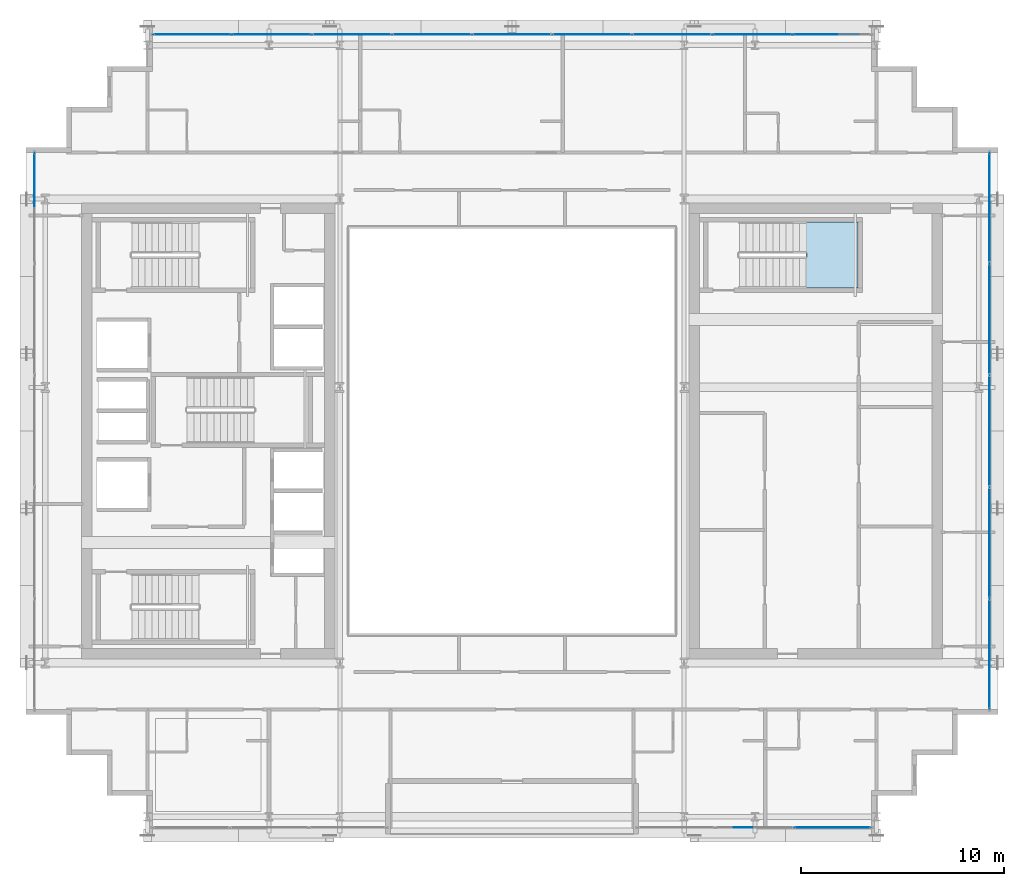
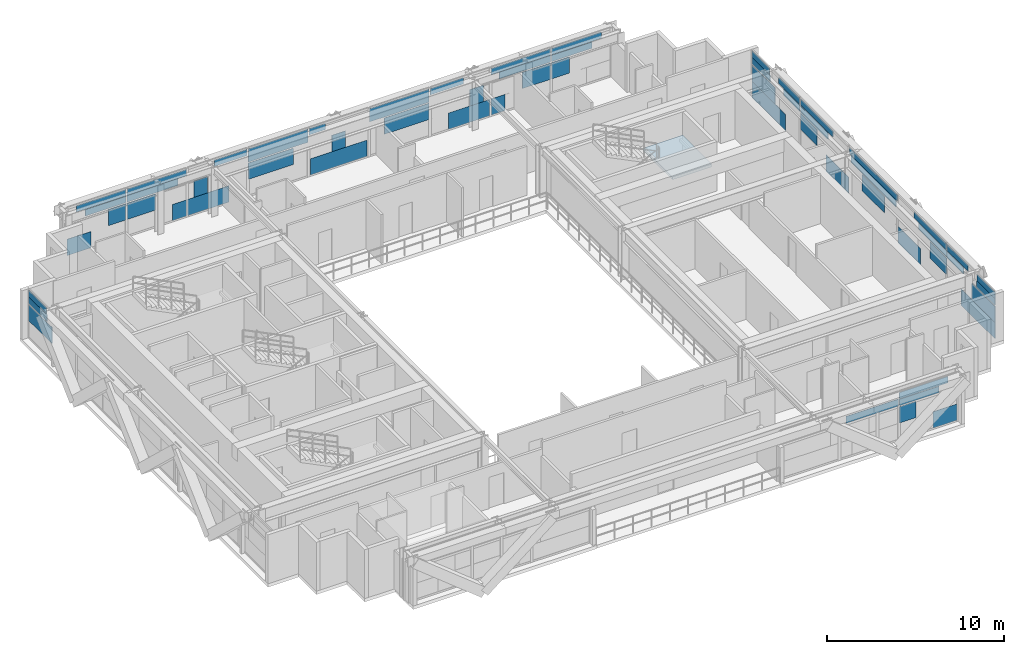
# One storey, part 21 of 32: 59 plates, 1 slab, 5 elements without a shape of their own.
"""IFC4 building model written with IfcOpenShell, lengths in metres."""

from ifc_helpers import new_model, si_unit, direction, frame, origin, origin_2d, place, context, subcontext, project, spatial, polyline, rectangle, outline, extrude, source, transform, mapped, material, layer, layer_set, type_object, element, aggregate, save


model = new_model("IFC4")

# Units and contexts
model_context = context("Model", 3, precision=1e-05, world=origin(), true_north=direction((0.0, 1.0)))
body_context = subcontext(model_context, "Body", "Model", "MODEL_VIEW")
ifc_project = project(units=[si_unit("LENGTHUNIT", "METRE"), si_unit("AREAUNIT", "SQUARE_METRE"), si_unit("VOLUMEUNIT", "CUBIC_METRE"), si_unit("PLANEANGLEUNIT", "RADIAN"), si_unit("MASSUNIT", "GRAM", prefix="KILO")], contexts=[model_context])

# Site, building, storey
site_placement = place(None, origin())
site = spatial("IfcSite", under=ifc_project, at=site_placement, CompositionType="ELEMENT")
building_placement = place(site_placement, origin())
building = spatial("IfcBuilding", under=site, at=building_placement, Name="Ocotamira Hotel", CompositionType="ELEMENT")
storey_placement = place(building_placement, frame((0.0, 0.0, 213.60009765625)))
storey = spatial("IfcBuildingStorey", under=building, at=storey_placement, Name="L54", CompositionType="ELEMENT", Elevation=213.60009765625)

# Stair, slab
ifc_material_1 = material(Name="Concrete C40/50", Category="concrete")
stair_type = type_object("IfcStairType", Name="ST-CORE-1560", PredefinedType="HALF_TURN_STAIR", material=ifc_material_1)
stair_placement = place(storey_placement, origin())
stair = element("IfcStair", 1, at=stair_placement, inside=storey, type_object=stair_type, Name="L54 Exit Stair ST-4", PredefinedType="HALF_TURN_STAIR")
ifc_layer_1 = layer(ifc_material_1, 0.199951171875)
ifc_layer_set_1 = layer_set([ifc_layer_1], Name="Concrete C40/50")
slab_type = type_object("IfcSlabType", Name="SLB-LAND-200", PredefinedType="LANDING", material=ifc_layer_set_1)
slab_placement = place(storey_placement, frame((0.0, 0.0, 1.599853515625)))
slab = element("IfcSlab", 2, at=slab_placement, type_object=slab_type, Name="ST-4 landing 1", PredefinedType="LANDING", context=body_context, shape_type="SweptSolid", body=[
    extrude(outline(polyline([(46.530029296875, 33.050048828125), (49.090087890625, 33.050048828125), (49.090087890625, 36.330078125), (46.530029296875, 36.330078125), (46.530029296875, 33.050048828125)])), origin(), (0.0, 0.0, 1.0), 0.199951171875),
])
aggregate(stair, [slab])

# Curtain wall, plates
ifc_material_2 = material(Name="Anodised pale-metal aluminium and solar glass", Category="aluminium")
ifc_layer_2 = layer(ifc_material_2, 0.199951171875)
ifc_layer_set_2 = layer_set([ifc_layer_2], Name="Anodised pale-metal aluminium and solar glass")
curtain_wall_type = type_object("IfcCurtainWallType", Name="CW-SYS4-Z3", PredefinedType="NOTDEFINED", material=ifc_layer_set_2)
curtain_wall_1_placement = place(storey_placement, origin())
curtain_wall_1 = element("IfcCurtainWall", 3, at=curtain_wall_1_placement, inside=storey, type_object=curtain_wall_type, Name="L54 Curtain Wall CW-4 CW-L54-N", PredefinedType="NOTDEFINED")
ifc_material_3 = material(Name="Double-silver low-E insulated solar glass", Category="glass")
ifc_layer_3 = layer(ifc_material_3, 0.031982421875)
ifc_layer_set_3 = layer_set([ifc_layer_3], Name="Double-silver low-E insulated solar glass")
plate_type = type_object("IfcPlateType", Name="CWP-VISION-32", PredefinedType="CURTAIN_PANEL", material=ifc_layer_set_3)
shared_shape_1 = source(origin(), body_context, "Body", "SweptSolid", [
    extrude(rectangle(XDim=3.233154296875, YDim=0.031982421875, at=origin_2d()), origin(), (0.0, 0.0, 1.0), 0.4326171875),
])
plate_1_placement = place(storey_placement, frame((16.4990234375, 45.580078125, 2.8623046875), z_axis=(0.0, 0.0, 1.0), x_axis=(1.0, 0.0, 0.0)))
plate_1 = element("IfcPlate", 4, at=plate_1_placement, type_object=plate_type, Name="CW-4 panel 1.2.1", PredefinedType="CURTAIN_PANEL", context=body_context, shape_type="MappedRepresentation", body=[
    mapped(shared_shape_1, transform((0.0, 0.0, 0.0), scale=1.0)),
])
plate_2_placement = place(storey_placement, frame((47.5009765625, 45.580078125, 2.8623046875), z_axis=(0.0, 0.0, 1.0), x_axis=(1.0, 0.0, 0.0)))
plate_2 = element("IfcPlate", 5, at=plate_2_placement, type_object=plate_type, Name="CW-4 panel 9.2.2", PredefinedType="CURTAIN_PANEL", context=body_context, shape_type="MappedRepresentation", body=[
    mapped(shared_shape_1, transform((0.0, 0.0, 0.0), scale=1.0)),
])
shared_shape_2 = source(origin(), body_context, "Body", "SweptSolid", [
    extrude(rectangle(XDim=3.32861328125, YDim=0.031982421875, at=origin_2d()), origin(), (0.0, 0.0, 1.0), 0.474853515625),
])
plate_3_placement = place(storey_placement, frame((19.85986328125, 45.580078125, 2.38720703125), z_axis=(0.0, 0.0, 1.0), x_axis=(1.0, 0.0, 0.0)))
plate_3 = element("IfcPlate", 6, at=plate_3_placement, type_object=plate_type, Name="CW-4 panel 2.2.1", PredefinedType="CURTAIN_PANEL", context=body_context, shape_type="MappedRepresentation", body=[
    mapped(shared_shape_2, transform((0.0, 0.0, 0.0), scale=1.0)),
])
plate_4_placement = place(storey_placement, frame((44.14013671875, 45.580078125, 2.38720703125), z_axis=(0.0, 0.0, 1.0), x_axis=(1.0, 0.0, 0.0)))
plate_4 = element("IfcPlate", 7, at=plate_4_placement, type_object=plate_type, Name="CW-4 panel 8.2.2", PredefinedType="CURTAIN_PANEL", context=body_context, shape_type="MappedRepresentation", body=[
    mapped(shared_shape_2, transform((0.0, 0.0, 0.0), scale=1.0)),
])
shared_shape_3 = source(origin(), body_context, "Body", "SweptSolid", [
    extrude(rectangle(XDim=3.87548828125, YDim=0.031982421875, at=origin_2d()), origin(), (0.0, 0.0, 1.0), 0.4326171875),
])
plate_5_placement = place(storey_placement, frame((20.13330078125, 45.580078125, 2.8623046875), z_axis=(0.0, 0.0, 1.0), x_axis=(1.0, 0.0, 0.0)))
plate_5 = element("IfcPlate", 8, at=plate_5_placement, type_object=plate_type, Name="CW-4 panel 2.2.2", PredefinedType="CURTAIN_PANEL", context=body_context, shape_type="MappedRepresentation", body=[
    mapped(shared_shape_3, transform((0.0, 0.0, 0.0), scale=1.0)),
])
plate_6_placement = place(storey_placement, frame((43.86669921875, 45.580078125, 2.8623046875), z_axis=(0.0, 0.0, 1.0), x_axis=(1.0, 0.0, 0.0)))
plate_6 = element("IfcPlate", 9, at=plate_6_placement, type_object=plate_type, Name="CW-4 panel 8.2.1", PredefinedType="CURTAIN_PANEL", context=body_context, shape_type="MappedRepresentation", body=[
    mapped(shared_shape_3, transform((0.0, 0.0, 0.0), scale=1.0)),
])
shared_shape_4 = source(origin(), body_context, "Body", "SweptSolid", [
    extrude(rectangle(XDim=2.144287109375, YDim=0.031982421875, at=origin_2d()), origin(), (0.0, 0.0, 1.0), 0.4326171875),
])
plate_7_placement = place(storey_placement, frame((24.95458984375, 45.580078125, 2.8623046875), z_axis=(0.0, 0.0, 1.0), x_axis=(1.0, 0.0, 0.0)))
plate_7 = element("IfcPlate", 10, at=plate_7_placement, type_object=plate_type, Name="CW-4 panel 3.2.1", PredefinedType="CURTAIN_PANEL", context=body_context, shape_type="MappedRepresentation", body=[
    mapped(shared_shape_4, transform((0.0, 0.0, 0.0), scale=1.0)),
])
plate_8_placement = place(storey_placement, frame((39.04541015625, 45.580078125, 2.8623046875), z_axis=(0.0, 0.0, 1.0), x_axis=(1.0, 0.0, 0.0)))
plate_8 = element("IfcPlate", 11, at=plate_8_placement, type_object=plate_type, Name="CW-4 panel 7.2.1", PredefinedType="CURTAIN_PANEL", context=body_context, shape_type="MappedRepresentation", body=[
    mapped(shared_shape_4, transform((0.0, 0.0, 0.0), scale=1.0)),
])
shared_shape_5 = source(origin(), body_context, "Body", "SweptSolid", [
    extrude(rectangle(XDim=3.87548828125, YDim=0.031982421875, at=origin_2d()), origin(), (0.0, 0.0, 1.0), 0.907470703125),
])
plate_9_placement = place(storey_placement, frame((28.04443359375, 45.580078125, 2.38720703125), z_axis=(0.0, 0.0, 1.0), x_axis=(1.0, 0.0, 0.0)))
plate_9 = element("IfcPlate", 12, at=plate_9_placement, type_object=plate_type, Name="CW-4 panel 4.2", PredefinedType="CURTAIN_PANEL", context=body_context, shape_type="MappedRepresentation", body=[
    mapped(shared_shape_5, transform((0.0, 0.0, 0.0), scale=1.0)),
])
plate_10_placement = place(storey_placement, frame((35.95556640625, 45.580078125, 2.38720703125), z_axis=(0.0, 0.0, 1.0), x_axis=(1.0, 0.0, 0.0)))
plate_10 = element("IfcPlate", 13, at=plate_10_placement, type_object=plate_type, Name="CW-4 panel 6.2", PredefinedType="CURTAIN_PANEL", context=body_context, shape_type="MappedRepresentation", body=[
    mapped(shared_shape_5, transform((0.0, 0.0, 0.0), scale=1.0)),
])
shared_shape_6 = source(origin(), body_context, "Body", "SweptSolid", [
    extrude(rectangle(XDim=1.055419921875, YDim=0.031982421875, at=origin_2d()), origin(), (0.0, 0.0, 1.0), 0.4326171875),
])
plate_11_placement = place(storey_placement, frame((30.58984375, 45.580078125, 2.8623046875), z_axis=(0.0, 0.0, 1.0), x_axis=(1.0, 0.0, 0.0)))
plate_11 = element("IfcPlate", 14, at=plate_11_placement, type_object=plate_type, Name="CW-4 panel 5.2.1", PredefinedType="CURTAIN_PANEL", context=body_context, shape_type="MappedRepresentation", body=[
    mapped(shared_shape_6, transform((0.0, 0.0, 0.0), scale=1.0)),
])

curtain_wall_2_placement = place(storey_placement, origin())
curtain_wall_2 = element("IfcCurtainWall", 15, at=curtain_wall_2_placement, inside=storey, type_object=curtain_wall_type, Name="L54 Curtain Wall CW-4 CW-L54-E", PredefinedType="NOTDEFINED")
shared_shape_7 = source(origin(), body_context, "Body", "SweptSolid", [
    extrude(rectangle(XDim=2.3681640625, YDim=0.031982421875, at=origin_2d()), origin(), (0.0, 0.0, 1.0), 0.41259765625),
])
plate_12_placement = place(storey_placement, frame((55.580078125, 16.495849609375, 2.88232421875), z_axis=(0.0, 0.0, 1.0), x_axis=(0.0, 1.0, 0.0)))
plate_12 = element("IfcPlate", 16, at=plate_12_placement, type_object=plate_type, Name="CW-4 panel 1.2.3", PredefinedType="CURTAIN_PANEL", context=body_context, shape_type="MappedRepresentation", body=[
    mapped(shared_shape_7, transform((0.0, 0.0, 0.0), scale=1.0)),
])
plate_13_placement = place(storey_placement, frame((55.580078125, 35.504150390625, 2.88232421875), z_axis=(0.0, 0.0, 1.0), x_axis=(0.0, 1.0, 0.0)))
plate_13 = element("IfcPlate", 17, at=plate_13_placement, type_object=plate_type, Name="CW-4 panel 5.2.2", PredefinedType="CURTAIN_PANEL", context=body_context, shape_type="MappedRepresentation", body=[
    mapped(shared_shape_7, transform((0.0, 0.0, 0.0), scale=1.0)),
])
shared_shape_8 = source(origin(), body_context, "Body", "SweptSolid", [
    extrude(rectangle(XDim=3.66162109375, YDim=0.031982421875, at=origin_2d()), origin(), (0.0, 0.0, 1.0), 0.41259765625),
])
plate_14_placement = place(storey_placement, frame((55.580078125, 19.5908203125, 2.88232421875), z_axis=(0.0, 0.0, 1.0), x_axis=(0.0, 1.0, 0.0)))
plate_14 = element("IfcPlate", 18, at=plate_14_placement, type_object=plate_type, Name="CW-4 panel 2.2.2", PredefinedType="CURTAIN_PANEL", context=body_context, shape_type="MappedRepresentation", body=[
    mapped(shared_shape_8, transform((0.0, 0.0, 0.0), scale=1.0)),
])
plate_15_placement = place(storey_placement, frame((55.580078125, 32.4091796875, 2.88232421875), z_axis=(0.0, 0.0, 1.0), x_axis=(0.0, 1.0, 0.0)))
plate_15 = element("IfcPlate", 19, at=plate_15_placement, type_object=plate_type, Name="CW-4 panel 4.2.1", PredefinedType="CURTAIN_PANEL", context=body_context, shape_type="MappedRepresentation", body=[
    mapped(shared_shape_8, transform((0.0, 0.0, 0.0), scale=1.0)),
])
shared_shape_9 = source(origin(), body_context, "Body", "SweptSolid", [
    extrude(rectangle(XDim=5.43994140625, YDim=0.031982421875, at=origin_2d()), origin(), (0.0, 0.0, 1.0), 0.41259765625),
])
plate_16_placement = place(storey_placement, frame((55.580078125, 26.0, 2.88232421875), z_axis=(0.0, 0.0, 1.0), x_axis=(0.0, 1.0, 0.0)))
plate_16 = element("IfcPlate", 20, at=plate_16_placement, type_object=plate_type, Name="CW-4 panel 3.2.1", PredefinedType="CURTAIN_PANEL", context=body_context, shape_type="MappedRepresentation", body=[
    mapped(shared_shape_9, transform((0.0, 0.0, 0.0), scale=1.0)),
])
shared_shape_10 = source(origin(), body_context, "Body", "SweptSolid", [
    extrude(rectangle(XDim=5.06005859375, YDim=0.031982421875, at=origin_2d()), origin(), (0.0, 0.0, 1.0), 0.4951171875),
])
plate_17_placement = place(storey_placement, frame((55.580078125, 26.0, 2.387451171875), z_axis=(0.0, 0.0, 1.0), x_axis=(0.0, 1.0, 0.0)))
plate_17 = element("IfcPlate", 21, at=plate_17_placement, type_object=plate_type, Name="CW-4 panel 3.2.2", PredefinedType="CURTAIN_PANEL", context=body_context, shape_type="MappedRepresentation", body=[
    mapped(shared_shape_10, transform((0.0, 0.0, 0.0), scale=1.0)),
])

# Plate
shared_shape_11 = source(origin(), body_context, "Body", "SweptSolid", [
    extrude(rectangle(XDim=0.898193359375, YDim=0.031982421875, at=origin_2d()), origin(), (0.0, 0.0, 1.0), 1.118896484375),
])
plate_18_placement = place(storey_placement, frame((23.0, 45.580078125, 1.193359375), z_axis=(0.0, 0.0, 1.0), x_axis=(1.0, 0.0, 0.0)))
plate_18 = element("IfcPlate", 22, at=plate_18_placement, type_object=plate_type, Name="CW-4 panel 3.1.2", PredefinedType="CURTAIN_PANEL", context=body_context, shape_type="MappedRepresentation", body=[
    mapped(shared_shape_11, transform((0.0, 0.0, 0.0), scale=1.0)),
])

plate_19_placement = place(storey_placement, frame((32.0, 45.580078125, 1.193359375), z_axis=(0.0, 0.0, 1.0), x_axis=(1.0, 0.0, 0.0)))
plate_19 = element("IfcPlate", 23, at=plate_19_placement, type_object=plate_type, Name="CW-4 panel 5.1.2", PredefinedType="CURTAIN_PANEL", context=body_context, shape_type="MappedRepresentation", body=[
    mapped(shared_shape_11, transform((0.0, 0.0, 0.0), scale=1.0)),
])

plate_20_placement = place(storey_placement, frame((41.0, 45.580078125, 1.193359375), z_axis=(0.0, 0.0, 1.0), x_axis=(1.0, 0.0, 0.0)))
plate_20 = element("IfcPlate", 24, at=plate_20_placement, type_object=plate_type, Name="CW-4 panel 7.1.2", PredefinedType="CURTAIN_PANEL", context=body_context, shape_type="MappedRepresentation", body=[
    mapped(shared_shape_11, transform((0.0, 0.0, 0.0), scale=1.0)),
])

# Curtain wall, plates
curtain_wall_3_placement = place(storey_placement, origin())
curtain_wall_3 = element("IfcCurtainWall", 25, at=curtain_wall_3_placement, inside=storey, type_object=curtain_wall_type, Name="L54 Curtain Wall CW-4 CW-L54-S2", PredefinedType="NOTDEFINED")
shared_shape_12 = source(origin(), body_context, "Body", "SweptSolid", [
    extrude(rectangle(XDim=1.0751953125, YDim=0.031982421875, at=origin_2d()), origin(), (0.0, 0.0, 1.0), 1.118896484375),
])
plate_21_placement = place(storey_placement, frame((46.494384765625, 6.419921875, 1.193359375), z_axis=(0.0, 0.0, 1.0), x_axis=(1.0, 0.0, 0.0)))
plate_21 = element("IfcPlate", 26, at=plate_21_placement, type_object=plate_type, Name="CW-4 panel 3.1.1", PredefinedType="CURTAIN_PANEL", context=body_context, shape_type="MappedRepresentation", body=[
    mapped(shared_shape_12, transform((0.0, 0.0, 0.0), scale=1.0)),
])
shared_shape_13 = source(origin(), body_context, "Body", "SweptSolid", [
    extrude(rectangle(XDim=3.160888671875, YDim=0.031982421875, at=origin_2d()), origin(), (0.0, 0.0, 1.0), 0.4326171875),
])
plate_22_placement = place(storey_placement, frame((47.537109375, 6.419921875, 2.8623046875), z_axis=(0.0, 0.0, 1.0), x_axis=(1.0, 0.0, 0.0)))
plate_22 = element("IfcPlate", 27, at=plate_22_placement, type_object=plate_type, Name="CW-4 panel 3.2.2", PredefinedType="CURTAIN_PANEL", context=body_context, shape_type="MappedRepresentation", body=[
    mapped(shared_shape_13, transform((0.0, 0.0, 0.0), scale=1.0)),
])
shared_shape_14 = source(origin(), body_context, "Body", "SweptSolid", [
    extrude(rectangle(XDim=3.40087890625, YDim=0.031982421875, at=origin_2d()), origin(), (0.0, 0.0, 1.0), 0.474853515625),
])
plate_23_placement = place(storey_placement, frame((44.17626953125, 6.419921875, 2.38720703125), z_axis=(0.0, 0.0, 1.0), x_axis=(1.0, 0.0, 0.0)))
plate_23 = element("IfcPlate", 28, at=plate_23_placement, type_object=plate_type, Name="CW-4 panel 2.2.2", PredefinedType="CURTAIN_PANEL", context=body_context, shape_type="MappedRepresentation", body=[
    mapped(shared_shape_14, transform((0.0, 0.0, 0.0), scale=1.0)),
])

# Plate
shared_shape_15 = source(origin(), body_context, "Body", "SweptSolid", [
    extrude(rectangle(XDim=1.1474609375, YDim=0.031982421875, at=origin_2d()), origin(), (0.0, 0.0, 1.0), 1.118896484375),
])
plate_24_placement = place(storey_placement, frame((17.541748046875, 45.580078125, 1.193359375), z_axis=(0.0, 0.0, 1.0), x_axis=(1.0, 0.0, 0.0)))
plate_24 = element("IfcPlate", 29, at=plate_24_placement, type_object=plate_type, Name="CW-4 panel 1.1.2", PredefinedType="CURTAIN_PANEL", context=body_context, shape_type="MappedRepresentation", body=[
    mapped(shared_shape_15, transform((0.0, 0.0, 0.0), scale=1.0)),
])

plate_25_placement = place(storey_placement, frame((46.458251953125, 45.580078125, 1.193359375), z_axis=(0.0, 0.0, 1.0), x_axis=(1.0, 0.0, 0.0)))
plate_25 = element("IfcPlate", 30, at=plate_25_placement, type_object=plate_type, Name="CW-4 panel 9.1.1", PredefinedType="CURTAIN_PANEL", context=body_context, shape_type="MappedRepresentation", body=[
    mapped(shared_shape_15, transform((0.0, 0.0, 0.0), scale=1.0)),
])

shared_shape_16 = source(origin(), body_context, "Body", "SweptSolid", [
    extrude(rectangle(XDim=1.83642578125, YDim=0.031982421875, at=origin_2d()), origin(), (0.0, 0.0, 1.0), 1.118896484375),
])
plate_26_placement = place(storey_placement, frame((19.11376953125, 45.580078125, 1.193359375), z_axis=(0.0, 0.0, 1.0), x_axis=(1.0, 0.0, 0.0)))
plate_26 = element("IfcPlate", 31, at=plate_26_placement, type_object=plate_type, Name="CW-4 panel 2.1.1", PredefinedType="CURTAIN_PANEL", context=body_context, shape_type="MappedRepresentation", body=[
    mapped(shared_shape_16, transform((0.0, 0.0, 0.0), scale=1.0)),
])

plate_27_placement = place(storey_placement, frame((44.88623046875, 45.580078125, 1.193359375), z_axis=(0.0, 0.0, 1.0), x_axis=(1.0, 0.0, 0.0)))
plate_27 = element("IfcPlate", 32, at=plate_27_placement, type_object=plate_type, Name="CW-4 panel 8.1.2", PredefinedType="CURTAIN_PANEL", context=body_context, shape_type="MappedRepresentation", body=[
    mapped(shared_shape_16, transform((0.0, 0.0, 0.0), scale=1.0)),
])

shared_shape_17 = source(origin(), body_context, "Body", "SweptSolid", [
    extrude(rectangle(XDim=2.92529296875, YDim=0.031982421875, at=origin_2d()), origin(), (0.0, 0.0, 1.0), 1.118896484375),
])
plate_28_placement = place(storey_placement, frame((27.5693359375, 45.580078125, 1.193359375), z_axis=(0.0, 0.0, 1.0), x_axis=(1.0, 0.0, 0.0)))
plate_28 = element("IfcPlate", 33, at=plate_28_placement, type_object=plate_type, Name="CW-4 panel 4.1.1", PredefinedType="CURTAIN_PANEL", context=body_context, shape_type="MappedRepresentation", body=[
    mapped(shared_shape_17, transform((0.0, 0.0, 0.0), scale=1.0)),
])

plate_29_placement = place(storey_placement, frame((36.4306640625, 45.580078125, 1.193359375), z_axis=(0.0, 0.0, 1.0), x_axis=(1.0, 0.0, 0.0)))
plate_29 = element("IfcPlate", 34, at=plate_29_placement, type_object=plate_type, Name="CW-4 panel 6.1.1", PredefinedType="CURTAIN_PANEL", context=body_context, shape_type="MappedRepresentation", body=[
    mapped(shared_shape_17, transform((0.0, 0.0, 0.0), scale=1.0)),
])

# Curtain wall, plate
curtain_wall_4_placement = place(storey_placement, origin())
curtain_wall_4 = element("IfcCurtainWall", 35, at=curtain_wall_4_placement, inside=storey, type_object=curtain_wall_type, Name="L54 Curtain Wall CW-4 CW-L54-W", PredefinedType="NOTDEFINED")
shared_shape_18 = source(origin(), body_context, "Body", "SweptSolid", [
    extrude(rectangle(XDim=2.615966796875, YDim=0.031982421875, at=origin_2d()), origin(), (0.0, 0.0, 1.0), 1.118896484375),
])
plate_30_placement = place(storey_placement, frame((8.419921875, 38.412109375, 1.193359375), z_axis=(0.0, 0.0, 1.0), x_axis=(0.0, 1.0, 0.0)))
plate_30 = element("IfcPlate", 36, at=plate_30_placement, type_object=plate_type, Name="CW-4 panel 5.1.2", PredefinedType="CURTAIN_PANEL", context=body_context, shape_type="MappedRepresentation", body=[
    mapped(shared_shape_18, transform((0.0, 0.0, 0.0), scale=1.0)),
])

# Plate
plate_31_placement = place(storey_placement, frame((55.580078125, 13.587890625, 1.193359375), z_axis=(0.0, 0.0, 1.0), x_axis=(0.0, 1.0, 0.0)))
plate_31 = element("IfcPlate", 37, at=plate_31_placement, type_object=plate_type, Name="CW-4 panel 1.1.2", PredefinedType="CURTAIN_PANEL", context=body_context, shape_type="MappedRepresentation", body=[
    mapped(shared_shape_18, transform((0.0, 0.0, 0.0), scale=1.0)),
])

plate_32_placement = place(storey_placement, frame((55.580078125, 38.412109375, 1.193359375), z_axis=(0.0, 0.0, 1.0), x_axis=(0.0, 1.0, 0.0)))
plate_32 = element("IfcPlate", 38, at=plate_32_placement, type_object=plate_type, Name="CW-4 panel 5.1.2", PredefinedType="CURTAIN_PANEL", context=body_context, shape_type="MappedRepresentation", body=[
    mapped(shared_shape_18, transform((0.0, 0.0, 0.0), scale=1.0)),
])

shared_shape_19 = source(origin(), body_context, "Body", "SweptSolid", [
    extrude(rectangle(XDim=1.87109375, YDim=0.031982421875, at=origin_2d()), origin(), (0.0, 0.0, 1.0), 1.118896484375),
])
plate_33_placement = place(storey_placement, frame((55.580078125, 18.695556640625, 1.193359375), z_axis=(0.0, 0.0, 1.0), x_axis=(0.0, 1.0, 0.0)))
plate_33 = element("IfcPlate", 39, at=plate_33_placement, type_object=plate_type, Name="CW-4 panel 2.1.1", PredefinedType="CURTAIN_PANEL", context=body_context, shape_type="MappedRepresentation", body=[
    mapped(shared_shape_19, transform((0.0, 0.0, 0.0), scale=1.0)),
])

plate_34_placement = place(storey_placement, frame((55.580078125, 33.304443359375, 1.193359375), z_axis=(0.0, 0.0, 1.0), x_axis=(0.0, 1.0, 0.0)))
plate_34 = element("IfcPlate", 40, at=plate_34_placement, type_object=plate_type, Name="CW-4 panel 4.1.2", PredefinedType="CURTAIN_PANEL", context=body_context, shape_type="MappedRepresentation", body=[
    mapped(shared_shape_19, transform((0.0, 0.0, 0.0), scale=1.0)),
])

shared_shape_20 = source(origin(), body_context, "Body", "SweptSolid", [
    extrude(rectangle(XDim=2.52880859375, YDim=0.031982421875, at=origin_2d()), origin(), (0.0, 0.0, 1.0), 1.118896484375),
])
plate_35_placement = place(storey_placement, frame((55.580078125, 26.0, 1.193359375), z_axis=(0.0, 0.0, 1.0), x_axis=(0.0, 1.0, 0.0)))
plate_35 = element("IfcPlate", 41, at=plate_35_placement, type_object=plate_type, Name="CW-4 panel 3.1.1", PredefinedType="CURTAIN_PANEL", context=body_context, shape_type="MappedRepresentation", body=[
    mapped(shared_shape_20, transform((0.0, 0.0, 0.0), scale=1.0)),
])

shared_shape_21 = source(origin(), body_context, "Body", "SweptSolid", [
    extrude(rectangle(XDim=1.5673828125, YDim=0.031982421875, at=origin_2d()), origin(), (0.0, 0.0, 1.0), 1.11865234375),
])
plate_36_placement = place(storey_placement, frame((48.936279296875, 6.419921875, 0.074951171875), z_axis=(0.0, 0.0, 1.0), x_axis=(1.0, 0.0, 0.0)))
plate_36 = element("IfcPlate", 42, at=plate_36_placement, type_object=plate_type, Name="CW-4 panel 3.1.2", PredefinedType="CURTAIN_PANEL", context=body_context, shape_type="MappedRepresentation", body=[
    mapped(shared_shape_21, transform((0.0, 0.0, 0.0), scale=1.0)),
])

plate_37_placement = place(storey_placement, frame((15.063720703125, 45.580078125, 0.074951171875), z_axis=(0.0, 0.0, 1.0), x_axis=(1.0, 0.0, 0.0)))
plate_37 = element("IfcPlate", 43, at=plate_37_placement, type_object=plate_type, Name="CW-4 panel 1.1.1", PredefinedType="CURTAIN_PANEL", context=body_context, shape_type="MappedRepresentation", body=[
    mapped(shared_shape_21, transform((0.0, 0.0, 0.0), scale=1.0)),
])

shared_shape_22 = source(origin(), body_context, "Body", "SweptSolid", [
    extrude(rectangle(XDim=0.918701171875, YDim=0.031982421875, at=origin_2d()), origin(), (0.0, 0.0, 1.0), 1.11865234375),
])
plate_38_placement = place(storey_placement, frame((21.61181640625, 45.580078125, 0.074951171875), z_axis=(0.0, 0.0, 1.0), x_axis=(1.0, 0.0, 0.0)))
plate_38 = element("IfcPlate", 44, at=plate_38_placement, type_object=plate_type, Name="CW-4 panel 2.1.2", PredefinedType="CURTAIN_PANEL", context=body_context, shape_type="MappedRepresentation", body=[
    mapped(shared_shape_22, transform((0.0, 0.0, 0.0), scale=1.0)),
])

plate_39_placement = place(storey_placement, frame((42.38818359375, 45.580078125, 0.074951171875), z_axis=(0.0, 0.0, 1.0), x_axis=(1.0, 0.0, 0.0)))
plate_39 = element("IfcPlate", 45, at=plate_39_placement, type_object=plate_type, Name="CW-4 panel 8.1.1", PredefinedType="CURTAIN_PANEL", context=body_context, shape_type="MappedRepresentation", body=[
    mapped(shared_shape_22, transform((0.0, 0.0, 0.0), scale=1.0)),
])

shared_shape_23 = source(origin(), body_context, "Body", "SweptSolid", [
    extrude(rectangle(XDim=2.6962890625, YDim=0.031982421875, at=origin_2d()), origin(), (0.0, 0.0, 1.0), 1.11865234375),
])
plate_40_placement = place(storey_placement, frame((23.499267578125, 45.580078125, 0.074951171875), z_axis=(0.0, 0.0, 1.0), x_axis=(1.0, 0.0, 0.0)))
plate_40 = element("IfcPlate", 46, at=plate_40_placement, type_object=plate_type, Name="CW-4 panel 3.1.1", PredefinedType="CURTAIN_PANEL", context=body_context, shape_type="MappedRepresentation", body=[
    mapped(shared_shape_23, transform((0.0, 0.0, 0.0), scale=1.0)),
])

plate_41_placement = place(storey_placement, frame((40.500732421875, 45.580078125, 0.074951171875), z_axis=(0.0, 0.0, 1.0), x_axis=(1.0, 0.0, 0.0)))
plate_41 = element("IfcPlate", 47, at=plate_41_placement, type_object=plate_type, Name="CW-4 panel 7.1.1", PredefinedType="CURTAIN_PANEL", context=body_context, shape_type="MappedRepresentation", body=[
    mapped(shared_shape_23, transform((0.0, 0.0, 0.0), scale=1.0)),
])

shared_shape_24 = source(origin(), body_context, "Body", "SweptSolid", [
    extrude(rectangle(XDim=3.695068359375, YDim=0.031982421875, at=origin_2d()), origin(), (0.0, 0.0, 1.0), 1.11865234375),
])
plate_42_placement = place(storey_placement, frame((32.0, 45.580078125, 0.074951171875), z_axis=(0.0, 0.0, 1.0), x_axis=(1.0, 0.0, 0.0)))
plate_42 = element("IfcPlate", 48, at=plate_42_placement, type_object=plate_type, Name="CW-4 panel 5.1.1", PredefinedType="CURTAIN_PANEL", context=body_context, shape_type="MappedRepresentation", body=[
    mapped(shared_shape_24, transform((0.0, 0.0, 0.0), scale=1.0)),
])

shared_shape_25 = source(origin(), body_context, "Body", "SweptSolid", [
    extrude(rectangle(XDim=3.802001953125, YDim=0.031982421875, at=origin_2d()), origin(), (0.0, 0.0, 1.0), 1.11865234375),
])
plate_43_placement = place(storey_placement, frame((55.580078125, 14.180908203125, 0.074951171875), z_axis=(0.0, 0.0, 1.0), x_axis=(0.0, 1.0, 0.0)))
plate_43 = element("IfcPlate", 49, at=plate_43_placement, type_object=plate_type, Name="CW-4 panel 1.1.1", PredefinedType="CURTAIN_PANEL", context=body_context, shape_type="MappedRepresentation", body=[
    mapped(shared_shape_25, transform((0.0, 0.0, 0.0), scale=1.0)),
])

plate_44_placement = place(storey_placement, frame((55.580078125, 37.819091796875, 0.074951171875), z_axis=(0.0, 0.0, 1.0), x_axis=(0.0, 1.0, 0.0)))
plate_44 = element("IfcPlate", 50, at=plate_44_placement, type_object=plate_type, Name="CW-4 panel 5.1.1", PredefinedType="CURTAIN_PANEL", context=body_context, shape_type="MappedRepresentation", body=[
    mapped(shared_shape_25, transform((0.0, 0.0, 0.0), scale=1.0)),
])

shared_shape_26 = source(origin(), body_context, "Body", "SweptSolid", [
    extrude(rectangle(XDim=2.548828125, YDim=0.031982421875, at=origin_2d()), origin(), (0.0, 0.0, 1.0), 1.11865234375),
])
plate_45_placement = place(storey_placement, frame((55.580078125, 21.925537109375, 0.074951171875), z_axis=(0.0, 0.0, 1.0), x_axis=(0.0, 1.0, 0.0)))
plate_45 = element("IfcPlate", 51, at=plate_45_placement, type_object=plate_type, Name="CW-4 panel 2.1.2", PredefinedType="CURTAIN_PANEL", context=body_context, shape_type="MappedRepresentation", body=[
    mapped(shared_shape_26, transform((0.0, 0.0, 0.0), scale=1.0)),
])

plate_46_placement = place(storey_placement, frame((55.580078125, 30.074462890625, 0.074951171875), z_axis=(0.0, 0.0, 1.0), x_axis=(0.0, 1.0, 0.0)))
plate_46 = element("IfcPlate", 52, at=plate_46_placement, type_object=plate_type, Name="CW-4 panel 4.1.1", PredefinedType="CURTAIN_PANEL", context=body_context, shape_type="MappedRepresentation", body=[
    mapped(shared_shape_26, transform((0.0, 0.0, 0.0), scale=1.0)),
])

shared_shape_27 = source(origin(), body_context, "Body", "SweptSolid", [
    extrude(rectangle(XDim=2.5673828125, YDim=0.031982421875, at=origin_2d()), origin(), (0.0, 0.0, 1.0), 0.441162109375),
])
plate_47_placement = place(storey_placement, frame((47.240478515625, 6.419921875, 2.38720703125), z_axis=(0.0, 0.0, 1.0), x_axis=(1.0, 0.0, 0.0)))
plate_47 = element("IfcPlate", 53, at=plate_47_placement, type_object=plate_type, Name="CW-4 panel 3.2.1", PredefinedType="CURTAIN_PANEL", context=body_context, shape_type="MappedRepresentation", body=[
    mapped(shared_shape_27, transform((0.0, 0.0, 0.0), scale=1.0)),
])

aggregate(curtain_wall_3, [plate_23, plate_21, plate_36, plate_47, plate_22])

shared_shape_28 = source(origin(), body_context, "Body", "SweptSolid", [
    extrude(rectangle(XDim=2.6396484375, YDim=0.031982421875, at=origin_2d()), origin(), (0.0, 0.0, 1.0), 0.441162109375),
])
plate_48_placement = place(storey_placement, frame((16.795654296875, 45.580078125, 2.38720703125), z_axis=(0.0, 0.0, 1.0), x_axis=(1.0, 0.0, 0.0)))
plate_48 = element("IfcPlate", 54, at=plate_48_placement, type_object=plate_type, Name="CW-4 panel 1.2.2", PredefinedType="CURTAIN_PANEL", context=body_context, shape_type="MappedRepresentation", body=[
    mapped(shared_shape_28, transform((0.0, 0.0, 0.0), scale=1.0)),
])

plate_49_placement = place(storey_placement, frame((47.204345703125, 45.580078125, 2.38720703125), z_axis=(0.0, 0.0, 1.0), x_axis=(1.0, 0.0, 0.0)))
plate_49 = element("IfcPlate", 55, at=plate_49_placement, type_object=plate_type, Name="CW-4 panel 9.2.1", PredefinedType="CURTAIN_PANEL", context=body_context, shape_type="MappedRepresentation", body=[
    mapped(shared_shape_28, transform((0.0, 0.0, 0.0), scale=1.0)),
])

aggregate(curtain_wall_1, [plate_37, plate_24, plate_1, plate_48, plate_26, plate_38, plate_3, plate_5, plate_40, plate_18, plate_7, plate_28, plate_9, plate_42, plate_19, plate_11, plate_29, plate_10, plate_41, plate_20, plate_8, plate_39, plate_27, plate_6, plate_4, plate_25, plate_49, plate_2])

shared_shape_29 = source(origin(), body_context, "Body", "SweptSolid", [
    extrude(rectangle(XDim=2.051025390625, YDim=0.031982421875, at=origin_2d()), origin(), (0.0, 0.0, 1.0), 0.4580078125),
])
plate_50_placement = place(storey_placement, frame((8.419921875, 38.694580078125, 2.387451171875), z_axis=(0.0, 0.0, 1.0), x_axis=(0.0, 1.0, 0.0)))
plate_50 = element("IfcPlate", 56, at=plate_50_placement, type_object=plate_type, Name="CW-4 panel 5.2.3", PredefinedType="CURTAIN_PANEL", context=body_context, shape_type="MappedRepresentation", body=[
    mapped(shared_shape_29, transform((0.0, 0.0, 0.0), scale=1.0)),
])

plate_51_placement = place(storey_placement, frame((55.580078125, 13.305419921875, 2.387451171875), z_axis=(0.0, 0.0, 1.0), x_axis=(0.0, 1.0, 0.0)))
plate_51 = element("IfcPlate", 57, at=plate_51_placement, type_object=plate_type, Name="CW-4 panel 1.2.1", PredefinedType="CURTAIN_PANEL", context=body_context, shape_type="MappedRepresentation", body=[
    mapped(shared_shape_29, transform((0.0, 0.0, 0.0), scale=1.0)),
])

plate_52_placement = place(storey_placement, frame((55.580078125, 38.694580078125, 2.387451171875), z_axis=(0.0, 0.0, 1.0), x_axis=(0.0, 1.0, 0.0)))
plate_52 = element("IfcPlate", 58, at=plate_52_placement, type_object=plate_type, Name="CW-4 panel 5.2.3", PredefinedType="CURTAIN_PANEL", context=body_context, shape_type="MappedRepresentation", body=[
    mapped(shared_shape_29, transform((0.0, 0.0, 0.0), scale=1.0)),
])

shared_shape_30 = source(origin(), body_context, "Body", "SweptSolid", [
    extrude(rectangle(XDim=2.01171875, YDim=0.031982421875, at=origin_2d()), origin(), (0.0, 0.0, 1.0), 0.449462890625),
])
plate_53_placement = place(storey_placement, frame((8.419921875, 38.714111328125, 2.84521484375), z_axis=(0.0, 0.0, 1.0), x_axis=(0.0, 1.0, 0.0)))
plate_53 = element("IfcPlate", 59, at=plate_53_placement, type_object=plate_type, Name="CW-4 panel 5.2.4", PredefinedType="CURTAIN_PANEL", context=body_context, shape_type="MappedRepresentation", body=[
    mapped(shared_shape_30, transform((0.0, 0.0, 0.0), scale=1.0)),
])

aggregate(curtain_wall_4, [plate_30, plate_50, plate_53])

plate_54_placement = place(storey_placement, frame((55.580078125, 13.285888671875, 2.84521484375), z_axis=(0.0, 0.0, 1.0), x_axis=(0.0, 1.0, 0.0)))
plate_54 = element("IfcPlate", 60, at=plate_54_placement, type_object=plate_type, Name="CW-4 panel 1.2.2", PredefinedType="CURTAIN_PANEL", context=body_context, shape_type="MappedRepresentation", body=[
    mapped(shared_shape_30, transform((0.0, 0.0, 0.0), scale=1.0)),
])

plate_55_placement = place(storey_placement, frame((55.580078125, 38.714111328125, 2.84521484375), z_axis=(0.0, 0.0, 1.0), x_axis=(0.0, 1.0, 0.0)))
plate_55 = element("IfcPlate", 61, at=plate_55_placement, type_object=plate_type, Name="CW-4 panel 5.2.4", PredefinedType="CURTAIN_PANEL", context=body_context, shape_type="MappedRepresentation", body=[
    mapped(shared_shape_30, transform((0.0, 0.0, 0.0), scale=1.0)),
])

shared_shape_31 = source(origin(), body_context, "Body", "SweptSolid", [
    extrude(rectangle(XDim=1.84326171875, YDim=0.031982421875, at=origin_2d()), origin(), (0.0, 0.0, 1.0), 0.4580078125),
])
plate_56_placement = place(storey_placement, frame((55.580078125, 16.75830078125, 2.387451171875), z_axis=(0.0, 0.0, 1.0), x_axis=(0.0, 1.0, 0.0)))
plate_56 = element("IfcPlate", 62, at=plate_56_placement, type_object=plate_type, Name="CW-4 panel 1.2.4", PredefinedType="CURTAIN_PANEL", context=body_context, shape_type="MappedRepresentation", body=[
    mapped(shared_shape_31, transform((0.0, 0.0, 0.0), scale=1.0)),
])

plate_57_placement = place(storey_placement, frame((55.580078125, 35.24169921875, 2.387451171875), z_axis=(0.0, 0.0, 1.0), x_axis=(0.0, 1.0, 0.0)))
plate_57 = element("IfcPlate", 63, at=plate_57_placement, type_object=plate_type, Name="CW-4 panel 5.2.1", PredefinedType="CURTAIN_PANEL", context=body_context, shape_type="MappedRepresentation", body=[
    mapped(shared_shape_31, transform((0.0, 0.0, 0.0), scale=1.0)),
])

shared_shape_32 = source(origin(), body_context, "Body", "SweptSolid", [
    extrude(rectangle(XDim=3.13671875, YDim=0.031982421875, at=origin_2d()), origin(), (0.0, 0.0, 1.0), 0.4580078125),
])
plate_58_placement = place(storey_placement, frame((55.580078125, 19.328369140625, 2.387451171875), z_axis=(0.0, 0.0, 1.0), x_axis=(0.0, 1.0, 0.0)))
plate_58 = element("IfcPlate", 64, at=plate_58_placement, type_object=plate_type, Name="CW-4 panel 2.2.1", PredefinedType="CURTAIN_PANEL", context=body_context, shape_type="MappedRepresentation", body=[
    mapped(shared_shape_32, transform((0.0, 0.0, 0.0), scale=1.0)),
])

plate_59_placement = place(storey_placement, frame((55.580078125, 32.671630859375, 2.387451171875), z_axis=(0.0, 0.0, 1.0), x_axis=(0.0, 1.0, 0.0)))
plate_59 = element("IfcPlate", 65, at=plate_59_placement, type_object=plate_type, Name="CW-4 panel 4.2.2", PredefinedType="CURTAIN_PANEL", context=body_context, shape_type="MappedRepresentation", body=[
    mapped(shared_shape_32, transform((0.0, 0.0, 0.0), scale=1.0)),
])

aggregate(curtain_wall_2, [plate_43, plate_31, plate_51, plate_54, plate_12, plate_56, plate_33, plate_45, plate_58, plate_14, plate_35, plate_16, plate_17, plate_46, plate_34, plate_15, plate_59, plate_44, plate_32, plate_57, plate_13, plate_52, plate_55])

save(model, "model.ifc")
